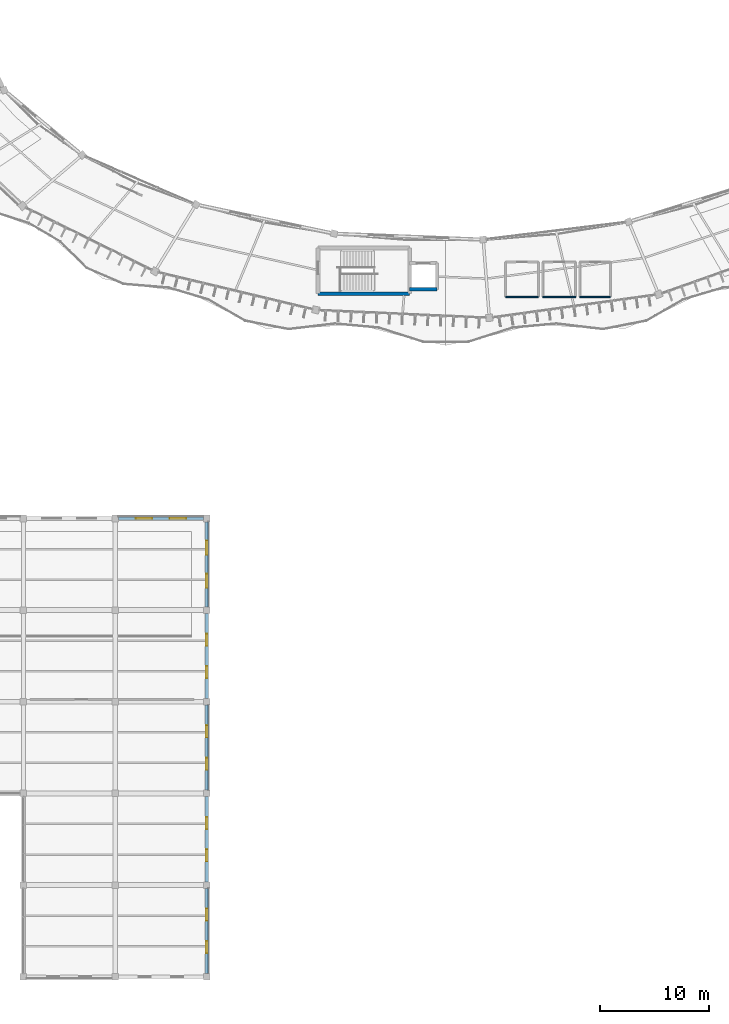
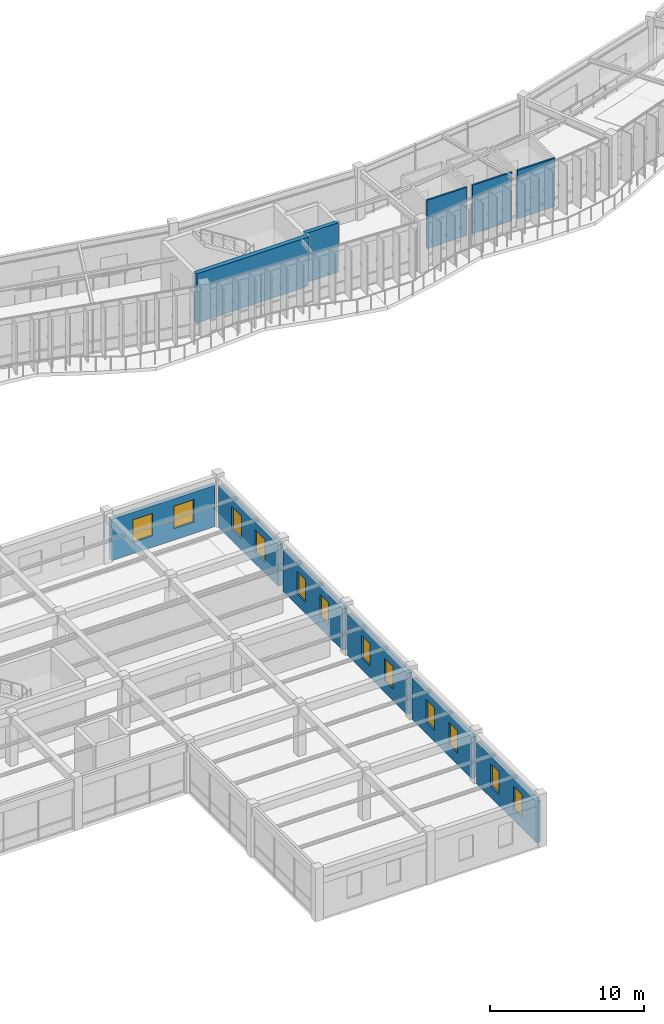
# One storey, part 90 of 114: 12 windows, 11 walls, 12 openings.
"""IFC4 building model written with IfcOpenShell, lengths in metres."""

from ifc_helpers import new_model, si_unit, direction, frame, frame_2d, origin, place, context, subcontext, project, spatial, rectangle, extrude, material, layer, layer_set, type_object, element, fill, save


model = new_model("IFC4")

# Units and contexts
model_context = context("Model", 3, precision=1e-05, world=origin(), true_north=direction((0.0, 1.0)))
body_context = subcontext(model_context, "Body", "Model", "MODEL_VIEW")
ifc_project = project(units=[si_unit("LENGTHUNIT", "METRE"), si_unit("AREAUNIT", "SQUARE_METRE"), si_unit("VOLUMEUNIT", "CUBIC_METRE"), si_unit("PLANEANGLEUNIT", "RADIAN"), si_unit("MASSUNIT", "GRAM", prefix="KILO"), si_unit("THERMODYNAMICTEMPERATUREUNIT", "KELVIN"), si_unit("POWERUNIT", "WATT")], contexts=[model_context])

# Site, building, storey
site_placement = place(None, origin())
site = spatial("IfcSite", under=ifc_project, at=site_placement, CompositionType="ELEMENT")
building_placement = place(site_placement, origin())
building = spatial("IfcBuilding", under=site, at=building_placement, Name="Darbajah Civic Hall", CompositionType="ELEMENT")
storey_placement = place(building_placement, frame((0.0, 0.0, 13.800048828125)))
storey = spatial("IfcBuildingStorey", under=building, at=storey_placement, Name="L03", CompositionType="ELEMENT", Elevation=13.800048828125)

# Walls
ifc_material_1 = material(Name="Concrete C45/55", Category="concrete")
ifc_layer_1 = layer(ifc_material_1, 0.300048828125, Name="Concrete C45/55")
ifc_layer_set_1 = layer_set([ifc_layer_1], Name="Concrete C45/55")
wall_type_1 = type_object("IfcWallType", Name="Core Shear Wall 300mm", PredefinedType="SHEAR", material=ifc_layer_set_1)
wall_1_placement = place(storey_placement, frame((85.800048828125, 63.0, 0.0), z_axis=(0.0, 0.0, 1.0), x_axis=(1.0, 0.0, 0.0)))
element("IfcWall", 1, at=wall_1_placement, inside=storey, type_object=wall_type_1, Name="L03 lift PL1 shaft wall S", PredefinedType="SHEAR", context=body_context, shape_type="SweptSolid", body=[
    extrude(rectangle(XDim=2.5, YDim=0.300048828125, at=frame_2d((1.25, 0.0))), origin(), (0.0, 0.0, 1.0), 3.919921875),
])
ifc_material_2 = material(Name="Concrete C50/60", Category="concrete")
ifc_layer_2 = layer(ifc_material_2, 0.35009765625, Name="Concrete C50/60")
ifc_layer_set_2 = layer_set([ifc_layer_2], Name="Concrete C50/60")
wall_type_2 = type_object("IfcWallType", Name="Core Shear Wall 350mm", PredefinedType="SHEAR", material=ifc_layer_set_2)
wall_2_placement = place(storey_placement, frame((77.39990234375, 62.60009765625, 0.0), z_axis=(0.0, 0.0, 1.0), x_axis=(1.0, 0.0, 0.0)))
element("IfcWall", 2, at=wall_2_placement, inside=storey, type_object=wall_type_2, Name="L03 core C03 shear wall S", PredefinedType="SHEAR", context=body_context, shape_type="SweptSolid", body=[
    extrude(rectangle(XDim=8.400146484375, YDim=0.35009765625, at=frame_2d((4.2001953125, 0.0))), origin(), (0.0, 0.0, 1.0), 3.919921875),
])

# Wall, openings, windows
ifc_material_3 = material(Name="Red Dholpur Sandstone Cladding", Category="masonry")
ifc_layer_3 = layer(ifc_material_3, 0.31005859375, Name="Red Dholpur Sandstone Cladding")
ifc_layer_set_3 = layer_set([ifc_layer_3], Name="Red Dholpur Sandstone Cladding")
wall_type_3 = type_object("IfcWallType", Name="Exterior Wall 310mm", PredefinedType="SOLIDWALL", material=ifc_layer_set_3)
wall_3_placement = place(storey_placement, frame((67.199951171875, 0.302001953125, 0.0), z_axis=(0.0, 0.0, 1.0), x_axis=(0.0, 1.0, 0.0)))
wall_3 = element("IfcWall", 3, at=wall_3_placement, inside=storey, type_object=wall_type_3, Name="L03 exterior wall EW-310", PredefinedType="SOLIDWALL", context=body_context, shape_type="SweptSolid", body=[
    extrude(rectangle(XDim=7.7958984375, YDim=0.31005859375, at=frame_2d((3.89794921875, 0.0))), origin(), (0.0, 0.0, 1.0), 3.2900390625),
])
opening_1_placement = place(wall_3_placement, frame((1.865234375, 0.0, 0.89990234375)))
opening_1 = element("IfcOpeningElement", 4, at=opening_1_placement, cuts=wall_3, Name="Opening WN-17", PredefinedType="OPENING", context=body_context, shape_type="SweptSolid", body=[
    extrude(rectangle(XDim=1.10009765625, YDim=1.800048828125, at=frame_2d((0.550048828125, 0.89990234375))), frame((0.0, 0.1650390625, 0.0), z_axis=(0.0, -1.0, 0.0), x_axis=(1.0, 0.0, 0.0)), (0.0, 0.0, 1.0), 0.330078125),
])
opening_2_placement = place(wall_3_placement, frame((4.830810546875, 0.0, 0.89990234375)))
opening_2 = element("IfcOpeningElement", 5, at=opening_2_placement, cuts=wall_3, Name="Opening WN-17", PredefinedType="OPENING", context=body_context, shape_type="SweptSolid", body=[
    extrude(rectangle(XDim=1.10009765625, YDim=1.800048828125, at=frame_2d((0.550048828125, 0.89990234375))), frame((0.0, 0.1650390625, 0.0), z_axis=(0.0, -1.0, 0.0), x_axis=(1.0, 0.0, 0.0)), (0.0, 0.0, 1.0), 0.330078125),
])
ifc_material_4 = material(Name="Low-E Solar Control Double Glazing", Category="glass")
window_type_1 = type_object("IfcWindowType", Name="Facade Window 1100x1800", PartitioningType="SINGLE_PANEL", PredefinedType="WINDOW", material=ifc_material_4)
window_1_placement = place(opening_1_placement, origin())
window_1 = element("IfcWindow", 6, at=window_1_placement, inside=storey, type_object=window_type_1, Name="L03 facade window WN-17", OverallHeight=1.800048828125, OverallWidth=1.10009765625, PartitioningType="SINGLE_PANEL", PredefinedType="WINDOW", context=body_context, shape_type="SweptSolid", body=[
    extrude(rectangle(XDim=1.10009765625, YDim=1.800048828125, at=frame_2d((0.550048828125, 0.89990234375))), frame((0.0, 0.030029296875, 0.0), z_axis=(0.0, -1.0, 0.0), x_axis=(1.0, 0.0, 0.0)), (0.0, 0.0, 1.0), 0.06005859375),
])
fill(opening_1, window_1)
window_2_placement = place(opening_2_placement, origin())
window_2 = element("IfcWindow", 7, at=window_2_placement, inside=storey, type_object=window_type_1, Name="L03 facade window WN-17", OverallHeight=1.800048828125, OverallWidth=1.10009765625, PartitioningType="SINGLE_PANEL", PredefinedType="WINDOW", context=body_context, shape_type="SweptSolid", body=[
    extrude(rectangle(XDim=1.10009765625, YDim=1.800048828125, at=frame_2d((0.550048828125, 0.89990234375))), frame((0.0, 0.030029296875, 0.0), z_axis=(0.0, -1.0, 0.0), x_axis=(1.0, 0.0, 0.0)), (0.0, 0.0, 1.0), 0.06005859375),
])
fill(opening_2, window_2)

wall_4_placement = place(storey_placement, frame((67.199951171875, 8.701904296875, 0.0), z_axis=(0.0, 0.0, 1.0), x_axis=(0.0, 1.0, 0.0)))
wall_4 = element("IfcWall", 8, at=wall_4_placement, inside=storey, type_object=wall_type_3, Name="L03 exterior wall EW-310", PredefinedType="SOLIDWALL", context=body_context, shape_type="SweptSolid", body=[
    extrude(rectangle(XDim=7.796142578125, YDim=0.31005859375, at=frame_2d((3.89794921875, 0.0))), origin(), (0.0, 0.0, 1.0), 3.2900390625),
])
opening_3_placement = place(wall_4_placement, frame((1.865234375, 0.0, 0.89990234375)))
opening_3 = element("IfcOpeningElement", 9, at=opening_3_placement, cuts=wall_4, Name="Opening WN-17", PredefinedType="OPENING", context=body_context, shape_type="SweptSolid", body=[
    extrude(rectangle(XDim=1.10009765625, YDim=1.800048828125, at=frame_2d((0.550048828125, 0.89990234375))), frame((0.0, 0.1650390625, 0.0), z_axis=(0.0, -1.0, 0.0), x_axis=(1.0, 0.0, 0.0)), (0.0, 0.0, 1.0), 0.330078125),
])
opening_4_placement = place(wall_4_placement, frame((4.830810546875, 0.0, 0.89990234375)))
opening_4 = element("IfcOpeningElement", 10, at=opening_4_placement, cuts=wall_4, Name="Opening WN-17", PredefinedType="OPENING", context=body_context, shape_type="SweptSolid", body=[
    extrude(rectangle(XDim=1.10009765625, YDim=1.800048828125, at=frame_2d((0.550048828125, 0.89990234375))), frame((0.0, 0.1650390625, 0.0), z_axis=(0.0, -1.0, 0.0), x_axis=(1.0, 0.0, 0.0)), (0.0, 0.0, 1.0), 0.330078125),
])
window_3_placement = place(opening_3_placement, origin())
window_3 = element("IfcWindow", 11, at=window_3_placement, inside=storey, type_object=window_type_1, Name="L03 facade window WN-17", OverallHeight=1.800048828125, OverallWidth=1.10009765625, PartitioningType="SINGLE_PANEL", PredefinedType="WINDOW", context=body_context, shape_type="SweptSolid", body=[
    extrude(rectangle(XDim=1.10009765625, YDim=1.800048828125, at=frame_2d((0.550048828125, 0.89990234375))), frame((0.0, 0.030029296875, 0.0), z_axis=(0.0, -1.0, 0.0), x_axis=(1.0, 0.0, 0.0)), (0.0, 0.0, 1.0), 0.06005859375),
])
fill(opening_3, window_3)
window_4_placement = place(opening_4_placement, origin())
window_4 = element("IfcWindow", 12, at=window_4_placement, inside=storey, type_object=window_type_1, Name="L03 facade window WN-17", OverallHeight=1.800048828125, OverallWidth=1.10009765625, PartitioningType="SINGLE_PANEL", PredefinedType="WINDOW", context=body_context, shape_type="SweptSolid", body=[
    extrude(rectangle(XDim=1.10009765625, YDim=1.800048828125, at=frame_2d((0.550048828125, 0.89990234375))), frame((0.0, 0.030029296875, 0.0), z_axis=(0.0, -1.0, 0.0), x_axis=(1.0, 0.0, 0.0)), (0.0, 0.0, 1.0), 0.06005859375),
])
fill(opening_4, window_4)

wall_5_placement = place(storey_placement, frame((67.199951171875, 17.10205078125, 0.0), z_axis=(0.0, 0.0, 1.0), x_axis=(0.0, 1.0, 0.0)))
wall_5 = element("IfcWall", 13, at=wall_5_placement, inside=storey, type_object=wall_type_3, Name="L03 exterior wall EW-310", PredefinedType="SOLIDWALL", context=body_context, shape_type="SweptSolid", body=[
    extrude(rectangle(XDim=7.7958984375, YDim=0.31005859375, at=frame_2d((3.89794921875, 0.0))), origin(), (0.0, 0.0, 1.0), 3.2900390625),
])
opening_5_placement = place(wall_5_placement, frame((1.865234375, 0.0, 0.89990234375)))
opening_5 = element("IfcOpeningElement", 14, at=opening_5_placement, cuts=wall_5, Name="Opening WN-17", PredefinedType="OPENING", context=body_context, shape_type="SweptSolid", body=[
    extrude(rectangle(XDim=1.10009765625, YDim=1.800048828125, at=frame_2d((0.550048828125, 0.89990234375))), frame((0.0, 0.1650390625, 0.0), z_axis=(0.0, -1.0, 0.0), x_axis=(1.0, 0.0, 0.0)), (0.0, 0.0, 1.0), 0.330078125),
])
opening_6_placement = place(wall_5_placement, frame((4.830810546875, 0.0, 0.89990234375)))
opening_6 = element("IfcOpeningElement", 15, at=opening_6_placement, cuts=wall_5, Name="Opening WN-17", PredefinedType="OPENING", context=body_context, shape_type="SweptSolid", body=[
    extrude(rectangle(XDim=1.10009765625, YDim=1.800048828125, at=frame_2d((0.550048828125, 0.89990234375))), frame((0.0, 0.1650390625, 0.0), z_axis=(0.0, -1.0, 0.0), x_axis=(1.0, 0.0, 0.0)), (0.0, 0.0, 1.0), 0.330078125),
])
window_5_placement = place(opening_5_placement, origin())
window_5 = element("IfcWindow", 16, at=window_5_placement, inside=storey, type_object=window_type_1, Name="L03 facade window WN-17", OverallHeight=1.800048828125, OverallWidth=1.10009765625, PartitioningType="SINGLE_PANEL", PredefinedType="WINDOW", context=body_context, shape_type="SweptSolid", body=[
    extrude(rectangle(XDim=1.10009765625, YDim=1.800048828125, at=frame_2d((0.550048828125, 0.89990234375))), frame((0.0, 0.030029296875, 0.0), z_axis=(0.0, -1.0, 0.0), x_axis=(1.0, 0.0, 0.0)), (0.0, 0.0, 1.0), 0.06005859375),
])
fill(opening_5, window_5)
window_6_placement = place(opening_6_placement, origin())
window_6 = element("IfcWindow", 17, at=window_6_placement, inside=storey, type_object=window_type_1, Name="L03 facade window WN-17", OverallHeight=1.800048828125, OverallWidth=1.10009765625, PartitioningType="SINGLE_PANEL", PredefinedType="WINDOW", context=body_context, shape_type="SweptSolid", body=[
    extrude(rectangle(XDim=1.10009765625, YDim=1.800048828125, at=frame_2d((0.550048828125, 0.89990234375))), frame((0.0, 0.030029296875, 0.0), z_axis=(0.0, -1.0, 0.0), x_axis=(1.0, 0.0, 0.0)), (0.0, 0.0, 1.0), 0.06005859375),
])
fill(opening_6, window_6)

wall_6_placement = place(storey_placement, frame((67.199951171875, 25.501953125, 0.0), z_axis=(0.0, 0.0, 1.0), x_axis=(0.0, 1.0, 0.0)))
wall_6 = element("IfcWall", 18, at=wall_6_placement, inside=storey, type_object=wall_type_3, Name="L03 exterior wall EW-310", PredefinedType="SOLIDWALL", context=body_context, shape_type="SweptSolid", body=[
    extrude(rectangle(XDim=7.796142578125, YDim=0.31005859375, at=frame_2d((3.89794921875, 0.0))), origin(), (0.0, 0.0, 1.0), 3.2900390625),
])
opening_7_placement = place(wall_6_placement, frame((1.865234375, 0.0, 0.89990234375)))
opening_7 = element("IfcOpeningElement", 19, at=opening_7_placement, cuts=wall_6, Name="Opening WN-17", PredefinedType="OPENING", context=body_context, shape_type="SweptSolid", body=[
    extrude(rectangle(XDim=1.10009765625, YDim=1.800048828125, at=frame_2d((0.550048828125, 0.89990234375))), frame((0.0, 0.1650390625, 0.0), z_axis=(0.0, -1.0, 0.0), x_axis=(1.0, 0.0, 0.0)), (0.0, 0.0, 1.0), 0.330078125),
])
opening_8_placement = place(wall_6_placement, frame((4.830810546875, 0.0, 0.89990234375)))
opening_8 = element("IfcOpeningElement", 20, at=opening_8_placement, cuts=wall_6, Name="Opening WN-17", PredefinedType="OPENING", context=body_context, shape_type="SweptSolid", body=[
    extrude(rectangle(XDim=1.10009765625, YDim=1.800048828125, at=frame_2d((0.550048828125, 0.89990234375))), frame((0.0, 0.1650390625, 0.0), z_axis=(0.0, -1.0, 0.0), x_axis=(1.0, 0.0, 0.0)), (0.0, 0.0, 1.0), 0.330078125),
])
window_7_placement = place(opening_7_placement, origin())
window_7 = element("IfcWindow", 21, at=window_7_placement, inside=storey, type_object=window_type_1, Name="L03 facade window WN-17", OverallHeight=1.800048828125, OverallWidth=1.10009765625, PartitioningType="SINGLE_PANEL", PredefinedType="WINDOW", context=body_context, shape_type="SweptSolid", body=[
    extrude(rectangle(XDim=1.10009765625, YDim=1.800048828125, at=frame_2d((0.550048828125, 0.89990234375))), frame((0.0, 0.030029296875, 0.0), z_axis=(0.0, -1.0, 0.0), x_axis=(1.0, 0.0, 0.0)), (0.0, 0.0, 1.0), 0.06005859375),
])
fill(opening_7, window_7)
window_8_placement = place(opening_8_placement, origin())
window_8 = element("IfcWindow", 22, at=window_8_placement, inside=storey, type_object=window_type_1, Name="L03 facade window WN-17", OverallHeight=1.800048828125, OverallWidth=1.10009765625, PartitioningType="SINGLE_PANEL", PredefinedType="WINDOW", context=body_context, shape_type="SweptSolid", body=[
    extrude(rectangle(XDim=1.10009765625, YDim=1.800048828125, at=frame_2d((0.550048828125, 0.89990234375))), frame((0.0, 0.030029296875, 0.0), z_axis=(0.0, -1.0, 0.0), x_axis=(1.0, 0.0, 0.0)), (0.0, 0.0, 1.0), 0.06005859375),
])
fill(opening_8, window_8)

wall_7_placement = place(storey_placement, frame((67.199951171875, 33.902099609375, 0.0), z_axis=(0.0, 0.0, 1.0), x_axis=(0.0, 1.0, 0.0)))
wall_7 = element("IfcWall", 23, at=wall_7_placement, inside=storey, type_object=wall_type_3, Name="L03 exterior wall EW-310", PredefinedType="SOLIDWALL", context=body_context, shape_type="SweptSolid", body=[
    extrude(rectangle(XDim=7.7958984375, YDim=0.31005859375, at=frame_2d((3.89794921875, 0.0))), origin(), (0.0, 0.0, 1.0), 3.2900390625),
])
opening_9_placement = place(wall_7_placement, frame((1.73193359375, 0.0, 0.89990234375)))
opening_9 = element("IfcOpeningElement", 24, at=opening_9_placement, cuts=wall_7, Name="Opening WN-18", PredefinedType="OPENING", context=body_context, shape_type="SweptSolid", body=[
    extrude(rectangle(XDim=1.300048828125, YDim=1.800048828125, at=frame_2d((0.64990234375, 0.89990234375))), frame((0.0, 0.1650390625, 0.0), z_axis=(0.0, -1.0, 0.0), x_axis=(1.0, 0.0, 0.0)), (0.0, 0.0, 1.0), 0.330078125),
])
opening_10_placement = place(wall_7_placement, frame((4.763916015625, 0.0, 0.89990234375)))
opening_10 = element("IfcOpeningElement", 25, at=opening_10_placement, cuts=wall_7, Name="Opening WN-18", PredefinedType="OPENING", context=body_context, shape_type="SweptSolid", body=[
    extrude(rectangle(XDim=1.300048828125, YDim=1.800048828125, at=frame_2d((0.64990234375, 0.89990234375))), frame((0.0, 0.1650390625, 0.0), z_axis=(0.0, -1.0, 0.0), x_axis=(1.0, 0.0, 0.0)), (0.0, 0.0, 1.0), 0.330078125),
])
window_type_2 = type_object("IfcWindowType", Name="Facade Window 1300x1800", PartitioningType="SINGLE_PANEL", PredefinedType="WINDOW", material=ifc_material_4)
window_9_placement = place(opening_9_placement, origin())
window_9 = element("IfcWindow", 26, at=window_9_placement, inside=storey, type_object=window_type_2, Name="L03 facade window WN-18", OverallHeight=1.800048828125, OverallWidth=1.300048828125, PartitioningType="SINGLE_PANEL", PredefinedType="WINDOW", context=body_context, shape_type="SweptSolid", body=[
    extrude(rectangle(XDim=1.300048828125, YDim=1.800048828125, at=frame_2d((0.64990234375, 0.89990234375))), frame((0.0, 0.030029296875, 0.0), z_axis=(0.0, -1.0, 0.0), x_axis=(1.0, 0.0, 0.0)), (0.0, 0.0, 1.0), 0.06005859375),
])
fill(opening_9, window_9)
window_10_placement = place(opening_10_placement, origin())
window_10 = element("IfcWindow", 27, at=window_10_placement, inside=storey, type_object=window_type_2, Name="L03 facade window WN-18", OverallHeight=1.800048828125, OverallWidth=1.300048828125, PartitioningType="SINGLE_PANEL", PredefinedType="WINDOW", context=body_context, shape_type="SweptSolid", body=[
    extrude(rectangle(XDim=1.300048828125, YDim=1.800048828125, at=frame_2d((0.64990234375, 0.89990234375))), frame((0.0, 0.030029296875, 0.0), z_axis=(0.0, -1.0, 0.0), x_axis=(1.0, 0.0, 0.0)), (0.0, 0.0, 1.0), 0.06005859375),
])
fill(opening_10, window_10)

wall_8_placement = place(storey_placement, frame((66.89794921875, 42.0, 0.0), z_axis=(0.0, 0.0, 1.0), x_axis=(-1.0, 0.0, 0.0)))
wall_8 = element("IfcWall", 28, at=wall_8_placement, inside=storey, type_object=wall_type_3, Name="L03 exterior wall EW-310", PredefinedType="SOLIDWALL", context=body_context, shape_type="SweptSolid", body=[
    extrude(rectangle(XDim=7.7958984375, YDim=0.31005859375, at=frame_2d((3.89794921875, 0.0))), origin(), (0.0, 0.0, 1.0), 3.2900390625),
])
opening_11_placement = place(wall_8_placement, frame((1.5986328125, 0.0, 0.89990234375)))
opening_11 = element("IfcOpeningElement", 29, at=opening_11_placement, cuts=wall_8, Name="Opening WN-19", PredefinedType="OPENING", context=body_context, shape_type="SweptSolid", body=[
    extrude(rectangle(XDim=1.5, YDim=1.800048828125, at=frame_2d((0.75, 0.89990234375))), frame((0.0, 0.1650390625, 0.0), z_axis=(0.0, -1.0, 0.0), x_axis=(1.0, 0.0, 0.0)), (0.0, 0.0, 1.0), 0.330078125),
])
opening_12_placement = place(wall_8_placement, frame((4.697265625, 0.0, 0.89990234375)))
opening_12 = element("IfcOpeningElement", 30, at=opening_12_placement, cuts=wall_8, Name="Opening WN-19", PredefinedType="OPENING", context=body_context, shape_type="SweptSolid", body=[
    extrude(rectangle(XDim=1.5, YDim=1.800048828125, at=frame_2d((0.75, 0.89990234375))), frame((0.0, 0.1650390625, 0.0), z_axis=(0.0, -1.0, 0.0), x_axis=(1.0, 0.0, 0.0)), (0.0, 0.0, 1.0), 0.330078125),
])
window_type_3 = type_object("IfcWindowType", Name="Facade Window 1500x1800", PartitioningType="SINGLE_PANEL", PredefinedType="WINDOW", material=ifc_material_4)
window_11_placement = place(opening_11_placement, origin())
window_11 = element("IfcWindow", 31, at=window_11_placement, inside=storey, type_object=window_type_3, Name="L03 facade window WN-19", OverallHeight=1.800048828125, OverallWidth=1.5, PartitioningType="SINGLE_PANEL", PredefinedType="WINDOW", context=body_context, shape_type="SweptSolid", body=[
    extrude(rectangle(XDim=1.5, YDim=1.800048828125, at=frame_2d((0.75, 0.89990234375))), frame((0.0, 0.030029296875, 0.0), z_axis=(0.0, -1.0, 0.0), x_axis=(1.0, 0.0, 0.0)), (0.0, 0.0, 1.0), 0.06005859375),
])
fill(opening_11, window_11)
window_12_placement = place(opening_12_placement, origin())
window_12 = element("IfcWindow", 32, at=window_12_placement, inside=storey, type_object=window_type_3, Name="L03 facade window WN-19", OverallHeight=1.800048828125, OverallWidth=1.5, PartitioningType="SINGLE_PANEL", PredefinedType="WINDOW", context=body_context, shape_type="SweptSolid", body=[
    extrude(rectangle(XDim=1.5, YDim=1.800048828125, at=frame_2d((0.75, 0.89990234375))), frame((0.0, 0.030029296875, 0.0), z_axis=(0.0, -1.0, 0.0), x_axis=(1.0, 0.0, 0.0)), (0.0, 0.0, 1.0), 0.06005859375),
])
fill(opening_12, window_12)

# Walls
ifc_material_5 = material(Name="Gypsum Plasterboard on Steel Stud", Category="steel")
ifc_layer_4 = layer(ifc_material_5, 0.135009765625, Name="Gypsum Plasterboard on Steel Stud")
ifc_layer_set_4 = layer_set([ifc_layer_4], Name="Gypsum Plasterboard on Steel Stud")
wall_type_4 = type_object("IfcWallType", Name="Interior Partition 135mm", PredefinedType="PARTITIONING", material=ifc_layer_set_4)
for number, where, z_axis, x_axis, name in (
    (33, (94.60009765625, 62.300048828125, 0.0), (0.0, 0.0, 1.0), (1.0, 0.0, 0.0), "L03 restroom enclosure wall L03-WCM S"),
    (34, (98.0, 62.300048828125, 0.0), (0.0, 0.0, 1.0), (1.0, 0.0, 0.0), "L03 restroom enclosure wall L03-WCF S"),
):
    element("IfcWall", number, at=place(storey_placement, frame(where, z_axis=z_axis, x_axis=x_axis)), inside=storey, type_object=wall_type_4, Name=name, PredefinedType="PARTITIONING", context=body_context, shape_type="SweptSolid", body=[
        extrude(rectangle(XDim=3.0, YDim=0.135009765625, at=frame_2d((1.5, 0.0))), origin(), (0.0, 0.0, 1.0), 3.85986328125),
    ])
wall_9_placement = place(storey_placement, frame((101.39990234375, 62.300048828125, 0.0), z_axis=(0.0, 0.0, 1.0), x_axis=(1.0, 0.0, 0.0)))
element("IfcWall", 35, at=wall_9_placement, inside=storey, type_object=wall_type_4, Name="L03 restroom enclosure wall L03-WCA S", PredefinedType="PARTITIONING", context=body_context, shape_type="SweptSolid", body=[
    extrude(rectangle(XDim=2.800048828125, YDim=0.135009765625, at=frame_2d((1.39990234375, 0.0))), origin(), (0.0, 0.0, 1.0), 3.85986328125),
])

save(model, "model.ifc")
